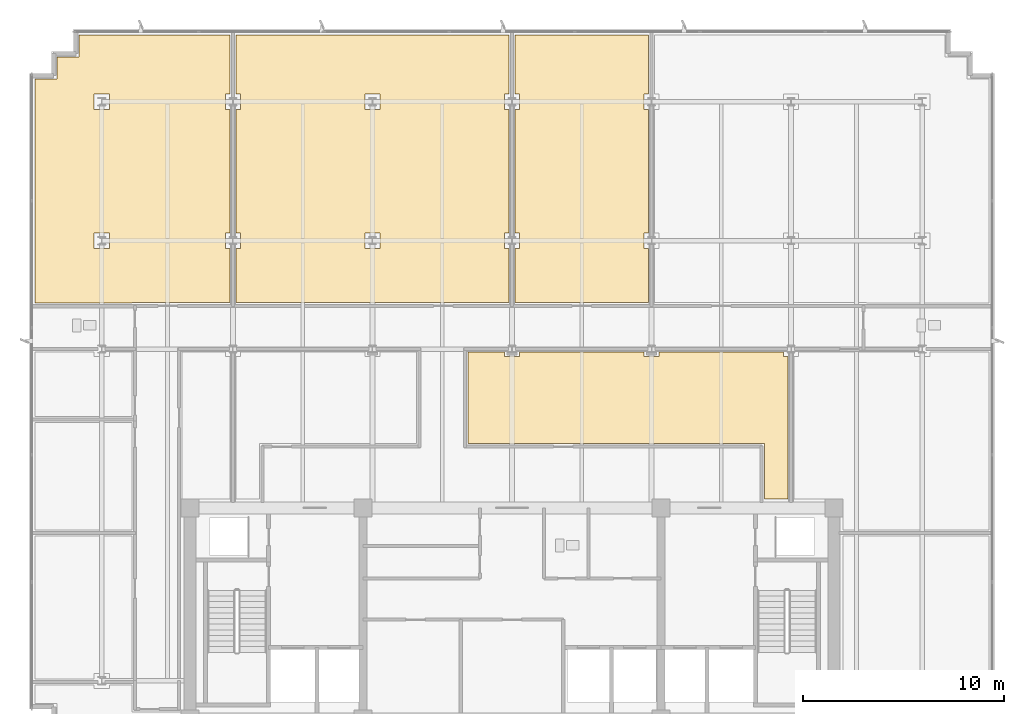
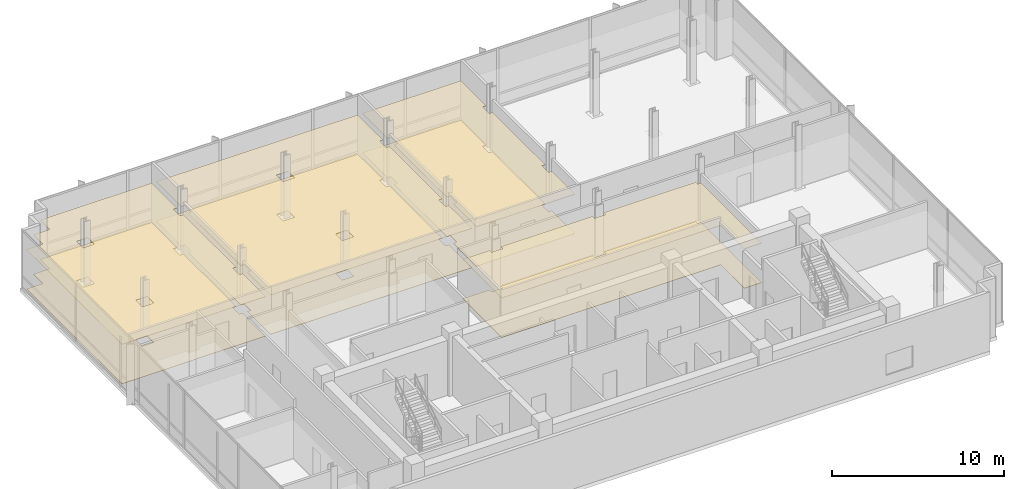
# One storey, part 14 of 17: 8 coverings.
"""IFC4 building model written with IfcOpenShell, lengths in metres."""

from ifc_helpers import new_model, si_unit, direction, frame, origin, place, context, subcontext, project, spatial, polyline, outline, extrude, material, layer, layer_set, type_object, element, save


model = new_model("IFC4")

# Units and contexts
model_context = context("Model", 3, precision=1e-05, world=origin(), true_north=direction((0.0, 1.0)))
body_context = subcontext(model_context, "Body", "Model", "MODEL_VIEW")
ifc_project = project(units=[si_unit("LENGTHUNIT", "METRE"), si_unit("AREAUNIT", "SQUARE_METRE"), si_unit("VOLUMEUNIT", "CUBIC_METRE"), si_unit("PLANEANGLEUNIT", "RADIAN"), si_unit("MASSUNIT", "GRAM", prefix="KILO")], contexts=[model_context])

# Site, building, storey
site_placement = place(None, origin())
site = spatial("IfcSite", under=ifc_project, at=site_placement, CompositionType="ELEMENT")
building_placement = place(site_placement, origin())
building = spatial("IfcBuilding", under=site, at=building_placement, Name="Solmavex Isthmus Hotel", CompositionType="ELEMENT")
storey_placement = place(building_placement, frame((0.0, 0.0, 286.800048828125)))
storey = spatial("IfcBuildingStorey", under=building, at=storey_placement, Name="L78", CompositionType="ELEMENT", Elevation=286.800048828125)

# Coverings
ifc_material_1 = material(Name="Gypsum plasterboard lining", Category="gypsum")
ifc_layer_1 = layer(ifc_material_1, 0.030029296875)
ifc_layer_set_1 = layer_set([ifc_layer_1], Name="Gypsum plasterboard lining")
covering_type_1 = type_object("IfcCoveringType", Name="COV-CEIL-GYP", PredefinedType="CEILING", material=ifc_layer_set_1)
covering_1_placement = place(storey_placement, frame((0.0, 0.0, 2.800048828125)))
element("IfcCovering", 1, at=covering_1_placement, inside=storey, type_object=covering_type_1, Name="Suspended Acoustic Ceiling L78-RM01", PredefinedType="CEILING", context=body_context, shape_type="SweptSolid", body=[
    extrude(outline(polyline([(-18.905029296875, 7.68505859375), (-18.905029296875, 7.705078125), (-14.027099609375, 7.705078125), (-14.027099609375, 10.407958984375), (-14.251953125, 10.407958984375), (-14.251953125, 11.16796875), (-14.027099609375, 11.16796875), (-14.027099609375, 17.320068359375), (-14.251953125, 17.320068359375), (-14.251953125, 18.080078125), (-14.027099609375, 18.080078125), (-14.027099609375, 21.02490234375), (-21.52490234375, 21.02490234375), (-21.52490234375, 19.925048828125), (-22.625, 19.925048828125), (-22.625, 18.824951171875), (-23.72509765625, 18.824951171875), (-23.72509765625, 7.68505859375), (-18.905029296875, 7.68505859375)]), holes=[polyline([(-20.780029296875, 10.407958984375), (-20.780029296875, 11.16796875), (-20.02001953125, 11.16796875), (-20.02001953125, 10.407958984375), (-20.780029296875, 10.407958984375)]), polyline([(-20.780029296875, 17.320068359375), (-20.780029296875, 18.080078125), (-20.02001953125, 18.080078125), (-20.02001953125, 17.320068359375), (-20.780029296875, 17.320068359375)])]), origin(), (0.0, 0.0, 1.0), 0.02978515625),
])
covering_2_placement = place(storey_placement, frame((0.0, 0.0, 2.800048828125)))
element("IfcCovering", 2, at=covering_2_placement, inside=storey, type_object=covering_type_1, Name="Suspended Acoustic Ceiling L78-RM02", PredefinedType="CEILING", context=body_context, shape_type="SweptSolid", body=[
    extrude(outline(polyline([(-13.717041015625, 11.16796875), (-13.491943359375, 11.16796875), (-13.491943359375, 10.407958984375), (-13.717041015625, 10.407958984375), (-13.717041015625, 7.705078125), (-0.155029296875, 7.705078125), (-0.155029296875, 10.407958984375), (-0.3798828125, 10.407958984375), (-0.3798828125, 11.16796875), (-0.155029296875, 11.16796875), (-0.155029296875, 17.320068359375), (-0.3798828125, 17.320068359375), (-0.3798828125, 18.080078125), (-0.155029296875, 18.080078125), (-0.155029296875, 21.02490234375), (-13.717041015625, 21.02490234375), (-13.717041015625, 18.080078125), (-13.491943359375, 18.080078125), (-13.491943359375, 17.320068359375), (-13.717041015625, 17.320068359375), (-13.717041015625, 11.16796875)]), holes=[polyline([(-7.31591796875, 10.407958984375), (-7.31591796875, 11.16796875), (-6.555908203125, 11.16796875), (-6.555908203125, 10.407958984375), (-7.31591796875, 10.407958984375)]), polyline([(-7.31591796875, 17.320068359375), (-7.31591796875, 18.080078125), (-6.555908203125, 18.080078125), (-6.555908203125, 17.320068359375), (-7.31591796875, 17.320068359375)])]), origin(), (0.0, 0.0, 1.0), 0.02978515625),
])
covering_3_placement = place(storey_placement, frame((0.0, 0.0, 2.800048828125)))
element("IfcCovering", 3, at=covering_3_placement, inside=storey, type_object=covering_type_1, Name="Suspended Acoustic Ceiling L78-RM03", PredefinedType="CEILING", context=body_context, shape_type="SweptSolid", body=[
    extrude(outline(polyline([(0.155029296875, 11.16796875), (0.3798828125, 11.16796875), (0.3798828125, 10.407958984375), (0.155029296875, 10.407958984375), (0.155029296875, 7.705078125), (6.781005859375, 7.705078125), (6.781005859375, 10.407958984375), (6.555908203125, 10.407958984375), (6.555908203125, 11.16796875), (6.781005859375, 11.16796875), (6.781005859375, 17.320068359375), (6.555908203125, 17.320068359375), (6.555908203125, 18.080078125), (6.781005859375, 18.080078125), (6.781005859375, 21.02490234375), (0.155029296875, 21.02490234375), (0.155029296875, 18.080078125), (0.3798828125, 18.080078125), (0.3798828125, 17.320068359375), (0.155029296875, 17.320068359375), (0.155029296875, 11.16796875)])), origin(), (0.0, 0.0, 1.0), 0.02978515625),
])
covering_4_placement = place(storey_placement, frame((0.0, 0.0, 2.800048828125)))
element("IfcCovering", 4, at=covering_4_placement, inside=storey, type_object=covering_type_1, Name="Suspended Acoustic Ceiling L78-FL14", PredefinedType="CEILING", context=body_context, shape_type="SweptSolid", body=[
    extrude(outline(polyline([(0.3798828125, 5.2451171875), (0.3798828125, 5.02001953125), (-0.3798828125, 5.02001953125), (-0.3798828125, 5.2451171875), (-2.193115234375, 5.2451171875), (-2.193115234375, 0.705078125), (12.554931640625, 0.705078125), (12.554931640625, -2.044921875), (13.717041015625, -2.044921875), (13.717041015625, 5.02001953125), (13.491943359375, 5.02001953125), (13.491943359375, 5.2451171875), (7.31591796875, 5.2451171875), (7.31591796875, 5.02001953125), (6.555908203125, 5.02001953125), (6.555908203125, 5.2451171875), (0.3798828125, 5.2451171875)])), origin(), (0.0, 0.0, 1.0), 0.02978515625),
])
ifc_material_2 = material(Name="Travertine natural stone", Category="masonry")
ifc_layer_2 = layer(ifc_material_2, 0.02490234375)
ifc_layer_set_2 = layer_set([ifc_layer_2], Name="Travertine natural stone")
covering_type_2 = type_object("IfcCoveringType", Name="COV-FLOR-STN", PredefinedType="FLOORING", material=ifc_layer_set_2)
covering_5_placement = place(storey_placement, origin())
element("IfcCovering", 5, at=covering_5_placement, inside=storey, type_object=covering_type_2, Name="Stone and Timber Floor Finish L78-RM01", PredefinedType="FLOORING", context=body_context, shape_type="SweptSolid", body=[
    extrude(outline(polyline([(-18.905029296875, 7.68505859375), (-18.905029296875, 7.705078125), (-14.027099609375, 7.705078125), (-14.027099609375, 10.407958984375), (-14.251953125, 10.407958984375), (-14.251953125, 11.16796875), (-14.027099609375, 11.16796875), (-14.027099609375, 17.320068359375), (-14.251953125, 17.320068359375), (-14.251953125, 18.080078125), (-14.027099609375, 18.080078125), (-14.027099609375, 21.02490234375), (-21.52490234375, 21.02490234375), (-21.52490234375, 19.925048828125), (-22.625, 19.925048828125), (-22.625, 18.824951171875), (-23.72509765625, 18.824951171875), (-23.72509765625, 7.68505859375), (-18.905029296875, 7.68505859375)]), holes=[polyline([(-20.780029296875, 10.407958984375), (-20.780029296875, 11.16796875), (-20.02001953125, 11.16796875), (-20.02001953125, 10.407958984375), (-20.780029296875, 10.407958984375)]), polyline([(-20.780029296875, 17.320068359375), (-20.780029296875, 18.080078125), (-20.02001953125, 18.080078125), (-20.02001953125, 17.320068359375), (-20.780029296875, 17.320068359375)])]), origin(), (0.0, 0.0, 1.0), 0.02490234375),
])
covering_6_placement = place(storey_placement, origin())
element("IfcCovering", 6, at=covering_6_placement, inside=storey, type_object=covering_type_2, Name="Stone and Timber Floor Finish L78-RM02", PredefinedType="FLOORING", context=body_context, shape_type="SweptSolid", body=[
    extrude(outline(polyline([(-13.717041015625, 11.16796875), (-13.491943359375, 11.16796875), (-13.491943359375, 10.407958984375), (-13.717041015625, 10.407958984375), (-13.717041015625, 7.705078125), (-0.155029296875, 7.705078125), (-0.155029296875, 10.407958984375), (-0.3798828125, 10.407958984375), (-0.3798828125, 11.16796875), (-0.155029296875, 11.16796875), (-0.155029296875, 17.320068359375), (-0.3798828125, 17.320068359375), (-0.3798828125, 18.080078125), (-0.155029296875, 18.080078125), (-0.155029296875, 21.02490234375), (-13.717041015625, 21.02490234375), (-13.717041015625, 18.080078125), (-13.491943359375, 18.080078125), (-13.491943359375, 17.320068359375), (-13.717041015625, 17.320068359375), (-13.717041015625, 11.16796875)]), holes=[polyline([(-7.31591796875, 10.407958984375), (-7.31591796875, 11.16796875), (-6.555908203125, 11.16796875), (-6.555908203125, 10.407958984375), (-7.31591796875, 10.407958984375)]), polyline([(-7.31591796875, 17.320068359375), (-7.31591796875, 18.080078125), (-6.555908203125, 18.080078125), (-6.555908203125, 17.320068359375), (-7.31591796875, 17.320068359375)])]), origin(), (0.0, 0.0, 1.0), 0.02490234375),
])
covering_7_placement = place(storey_placement, origin())
element("IfcCovering", 7, at=covering_7_placement, inside=storey, type_object=covering_type_2, Name="Stone and Timber Floor Finish L78-RM03", PredefinedType="FLOORING", context=body_context, shape_type="SweptSolid", body=[
    extrude(outline(polyline([(0.155029296875, 11.16796875), (0.3798828125, 11.16796875), (0.3798828125, 10.407958984375), (0.155029296875, 10.407958984375), (0.155029296875, 7.705078125), (6.781005859375, 7.705078125), (6.781005859375, 10.407958984375), (6.555908203125, 10.407958984375), (6.555908203125, 11.16796875), (6.781005859375, 11.16796875), (6.781005859375, 17.320068359375), (6.555908203125, 17.320068359375), (6.555908203125, 18.080078125), (6.781005859375, 18.080078125), (6.781005859375, 21.02490234375), (0.155029296875, 21.02490234375), (0.155029296875, 18.080078125), (0.3798828125, 18.080078125), (0.3798828125, 17.320068359375), (0.155029296875, 17.320068359375), (0.155029296875, 11.16796875)])), origin(), (0.0, 0.0, 1.0), 0.02490234375),
])
covering_8_placement = place(storey_placement, origin())
element("IfcCovering", 8, at=covering_8_placement, inside=storey, type_object=covering_type_2, Name="Stone and Timber Floor Finish L78-FL14", PredefinedType="FLOORING", context=body_context, shape_type="SweptSolid", body=[
    extrude(outline(polyline([(0.3798828125, 5.2451171875), (0.3798828125, 5.02001953125), (-0.3798828125, 5.02001953125), (-0.3798828125, 5.2451171875), (-2.193115234375, 5.2451171875), (-2.193115234375, 0.705078125), (12.554931640625, 0.705078125), (12.554931640625, -2.044921875), (13.717041015625, -2.044921875), (13.717041015625, 5.02001953125), (13.491943359375, 5.02001953125), (13.491943359375, 5.2451171875), (7.31591796875, 5.2451171875), (7.31591796875, 5.02001953125), (6.555908203125, 5.02001953125), (6.555908203125, 5.2451171875), (0.3798828125, 5.2451171875)])), origin(), (0.0, 0.0, 1.0), 0.02490234375),
])

save(model, "model.ifc")
